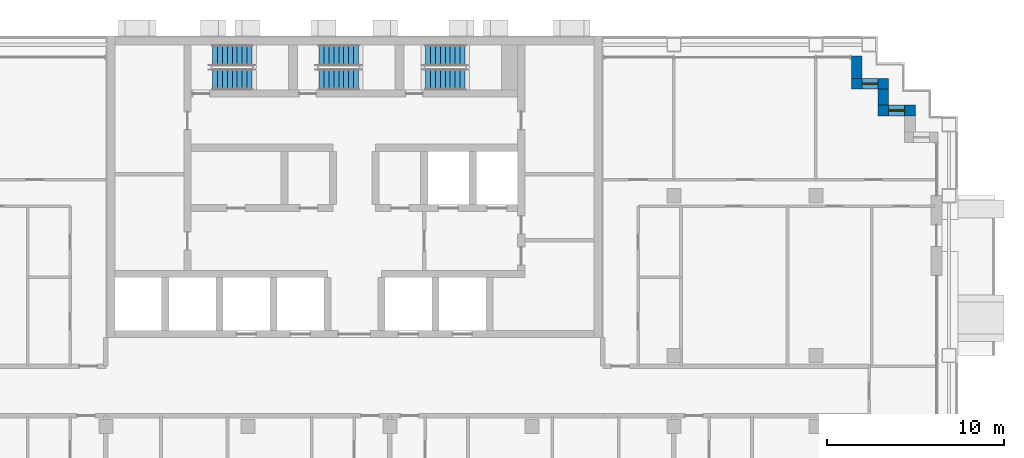
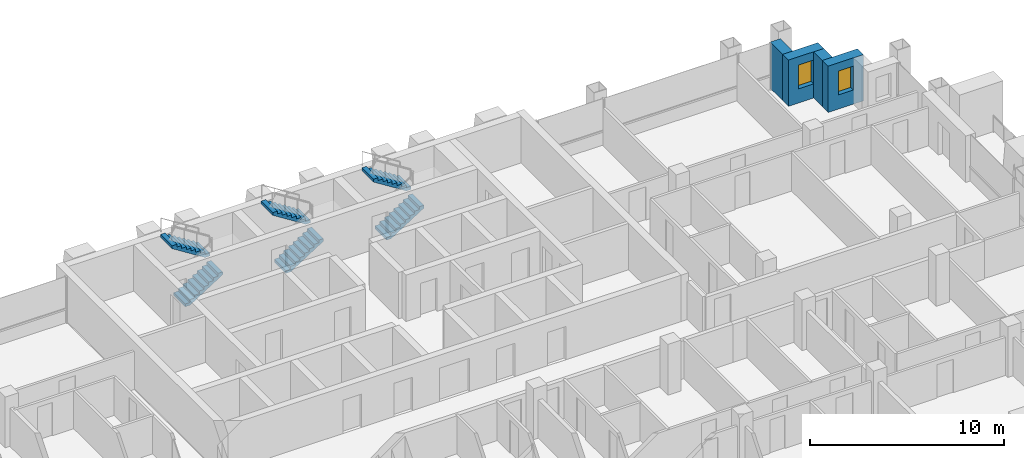
# One storey, part 13 of 18: 6 stair flights, 4 walls, 2 windows, 2 openings, 3 elements without a shape of their own.
"""IFC4 building model written with IfcOpenShell, lengths in metres."""

from ifc_helpers import new_model, si_unit, direction, frame, frame_2d, origin, place, context, subcontext, project, spatial, polyline, rectangle, outline, extrude, material, layer, layer_set, type_object, element, fill, aggregate, save


model = new_model("IFC4")

# Units and contexts
model_context = context("Model", 3, precision=1e-05, world=origin(), true_north=direction((0.0, 1.0)))
body_context = subcontext(model_context, "Body", "Model", "MODEL_VIEW")
ifc_project = project(units=[si_unit("LENGTHUNIT", "METRE"), si_unit("AREAUNIT", "SQUARE_METRE"), si_unit("VOLUMEUNIT", "CUBIC_METRE"), si_unit("PLANEANGLEUNIT", "RADIAN"), si_unit("MASSUNIT", "GRAM", prefix="KILO")], contexts=[model_context])

# Site, building, storey
site_placement = place(None, origin())
site = spatial("IfcSite", under=ifc_project, at=site_placement, CompositionType="ELEMENT")
building_placement = place(site_placement, origin())
building = spatial("IfcBuilding", under=site, at=building_placement, Name="Vidyagriha Tower", CompositionType="ELEMENT")
storey_placement = place(building_placement, frame((0.0, 0.0, 126.199951171875)))
storey = spatial("IfcBuildingStorey", under=building, at=storey_placement, Name="L32", CompositionType="ELEMENT", Elevation=126.199951171875)

# Wall, opening, window
ifc_material_1 = material(Name="Precast concrete C40/50 with brick facing", Category="concrete")
ifc_layer = layer(ifc_material_1, 0.60009765625)
ifc_layer_set = layer_set([ifc_layer], Name="Precast concrete C40/50 with brick facing")
wall_type = type_object("IfcWallType", Name="Brick-faced precast wall 600", PredefinedType="STANDARD", material=ifc_layer_set)
wall_1_placement = place(storey_placement, frame((31.60009765625, 15.800048828125, 0.0), z_axis=(0.0, 0.0, 1.0), x_axis=(-1.0, 0.0, 0.0)))
wall_1 = element("IfcWall", 1, at=wall_1_placement, inside=storey, type_object=wall_type, Name="Stepped corner wall L32 R03", PredefinedType="STANDARD", context=body_context, shape_type="SweptSolid", body=[
    extrude(rectangle(XDim=2.10009765625, YDim=0.60009765625, at=frame_2d((1.050048828125, 0.0))), origin(), (0.0, 0.0, 1.0), 2.920166015625),
])
opening_1_placement = place(wall_1_placement, frame((0.60009765625, 0.0, 0.89990234375)))
opening_1 = element("IfcOpeningElement", 2, at=opening_1_placement, cuts=wall_1, Name="Opening WN1", PredefinedType="OPENING", context=body_context, shape_type="SweptSolid", body=[
    extrude(rectangle(XDim=0.89990234375, YDim=1.5, at=frame_2d((0.449951171875, 0.75))), frame((0.0, 0.31005859375, 0.0), z_axis=(0.0, -1.0, 0.0), x_axis=(1.0, 0.0, 0.0)), (0.0, 0.0, 1.0), 0.6201171875),
])
ifc_material_2 = material(Name="Aluminium and glass window", Category="aluminium")
window_type = type_object("IfcWindowType", Name="Reveal window 900x1500", PartitioningType="NOTDEFINED", PredefinedType="WINDOW", material=ifc_material_2)
window_1_placement = place(opening_1_placement, origin())
window_1 = element("IfcWindow", 3, at=window_1_placement, inside=storey, type_object=window_type, Name="Reveal window L32 R03", OverallHeight=1.5, OverallWidth=0.89990234375, PartitioningType="SINGLE_PANEL", PredefinedType="WINDOW", context=body_context, shape_type="SweptSolid", body=[
    extrude(rectangle(XDim=0.89990234375, YDim=1.5, at=frame_2d((0.449951171875, 0.75))), frame((0.0, 0.030029296875, 0.0), z_axis=(0.0, -1.0, 0.0), x_axis=(1.0, 0.0, 0.0)), (0.0, 0.0, 1.0), 0.06005859375),
])
fill(opening_1, window_1)

# Wall
wall_2_placement = place(storey_placement, frame((29.800048828125, 16.10009765625, 0.0), z_axis=(0.0, 0.0, 1.0), x_axis=(0.0, 1.0, 0.0)))
element("IfcWall", 4, at=wall_2_placement, inside=storey, type_object=wall_type, Name="Stepped corner wall L32 R04", PredefinedType="STANDARD", context=body_context, shape_type="SweptSolid", body=[
    extrude(rectangle(XDim=0.89990234375, YDim=0.60009765625, at=frame_2d((0.449951171875, 0.0))), origin(), (0.0, 0.0, 1.0), 2.920166015625),
])

# Wall, opening, window
wall_3_placement = place(storey_placement, frame((30.10009765625, 17.300048828125, 0.0), z_axis=(0.0, 0.0, 1.0), x_axis=(-1.0, 0.0, 0.0)))
wall_3 = element("IfcWall", 5, at=wall_3_placement, inside=storey, type_object=wall_type, Name="Stepped corner wall L32 R05", PredefinedType="STANDARD", context=body_context, shape_type="SweptSolid", body=[
    extrude(rectangle(XDim=2.10009765625, YDim=0.60009765625, at=frame_2d((1.050048828125, 0.0))), origin(), (0.0, 0.0, 1.0), 2.920166015625),
])
opening_2_placement = place(wall_3_placement, frame((0.60009765625, 0.0, 0.89990234375)))
opening_2 = element("IfcOpeningElement", 6, at=opening_2_placement, cuts=wall_3, Name="Opening WN1", PredefinedType="OPENING", context=body_context, shape_type="SweptSolid", body=[
    extrude(rectangle(XDim=0.89990234375, YDim=1.5, at=frame_2d((0.449951171875, 0.75))), frame((0.0, 0.31005859375, 0.0), z_axis=(0.0, -1.0, 0.0), x_axis=(1.0, 0.0, 0.0)), (0.0, 0.0, 1.0), 0.6201171875),
])
window_2_placement = place(opening_2_placement, origin())
window_2 = element("IfcWindow", 7, at=window_2_placement, inside=storey, type_object=window_type, Name="Reveal window L32 R05", OverallHeight=1.5, OverallWidth=0.89990234375, PartitioningType="SINGLE_PANEL", PredefinedType="WINDOW", context=body_context, shape_type="SweptSolid", body=[
    extrude(rectangle(XDim=0.89990234375, YDim=1.5, at=frame_2d((0.449951171875, 0.75))), frame((0.0, 0.030029296875, 0.0), z_axis=(0.0, -1.0, 0.0), x_axis=(1.0, 0.0, 0.0)), (0.0, 0.0, 1.0), 0.06005859375),
])
fill(opening_2, window_2)

# Wall
wall_4_placement = place(storey_placement, frame((28.300048828125, 17.60009765625, 0.0), z_axis=(0.0, 0.0, 1.0), x_axis=(0.0, 1.0, 0.0)))
element("IfcWall", 8, at=wall_4_placement, inside=storey, type_object=wall_type, Name="Stepped corner wall L32 R06", PredefinedType="STANDARD", context=body_context, shape_type="SweptSolid", body=[
    extrude(rectangle(XDim=1.27978515625, YDim=0.60009765625, at=frame_2d((0.639892578125, 0.0))), origin(), (0.0, 0.0, 1.0), 2.920166015625),
])

# Stair, stair flights
ifc_material_3 = material(Name="Concrete C40/50", Category="concrete")
stair_type = type_object("IfcStairType", Name="Exit stair, half-turn, precast flights", PredefinedType="HALF_TURN_STAIR", material=ifc_material_3)
stair_1_placement = place(storey_placement, origin())
stair_1 = element("IfcStair", 9, at=stair_1_placement, inside=storey, type_object=stair_type, Name="L32 Exit Stair ST1", PredefinedType="HALF_TURN_STAIR")
ifc_material_4 = material(Name="Precast concrete C40/50", Category="concrete")
stair_flight_type = type_object("IfcStairFlightType", Name="Exit stair flight 1200 mm, precast", PredefinedType="STRAIGHT", material=ifc_material_4)
stair_flight_1_placement = place(storey_placement, frame((-8.0, 17.550048828125, 0.0)))
stair_flight_1 = element("IfcStairFlight", 10, at=stair_flight_1_placement, type_object=stair_flight_type, Name="ST1 flight 1", NumberOfRisers=9, NumberOfTreads=8, PredefinedType="STRAIGHT", RiserHeight=0.177777778, TreadLength=0.28, context=body_context, shape_type="SweptSolid", body=[
    extrude(outline(polyline([(0.0, 0.0), (0.0, 0.177734375), (0.280029296875, 0.177734375), (0.280029296875, 0.35546875), (0.56005859375, 0.35546875), (0.56005859375, 0.533447265625), (0.840087890625, 0.533447265625), (0.840087890625, 0.711181640625), (1.1201171875, 0.711181640625), (1.1201171875, 0.888916015625), (1.39990234375, 0.888916015625), (1.39990234375, 1.066650390625), (1.679931640625, 1.066650390625), (1.679931640625, 1.244384765625), (1.9599609375, 1.244384765625), (1.9599609375, 1.422119140625), (2.239990234375, 1.422119140625), (2.239990234375, 1.60009765625), (2.239990234375, 1.24462890625), (0.27978515625, 0.0), (0.0, 0.0)])), frame((0.0, 0.60009765625, 0.0), z_axis=(0.0, -1.0, 0.0), x_axis=(1.0, 0.0, 0.0)), (0.0, 0.0, 1.0), 1.199951171875),
])
stair_flight_2_placement = place(storey_placement, frame((-5.760009765625, 18.89990234375, 1.60009765625), z_axis=(0.0, 0.0, 1.0), x_axis=(-1.0, 0.0, 0.0)))
stair_flight_2 = element("IfcStairFlight", 11, at=stair_flight_2_placement, type_object=stair_flight_type, Name="ST1 flight 2", NumberOfRisers=9, NumberOfTreads=8, PredefinedType="STRAIGHT", RiserHeight=0.177777778, TreadLength=0.28, context=body_context, shape_type="SweptSolid", body=[
    extrude(outline(polyline([(0.0, 0.0), (0.0, 0.177734375), (0.280029296875, 0.177734375), (0.280029296875, 0.35546875), (0.56005859375, 0.35546875), (0.56005859375, 0.533447265625), (0.840087890625, 0.533447265625), (0.840087890625, 0.711181640625), (1.1201171875, 0.711181640625), (1.1201171875, 0.888916015625), (1.39990234375, 0.888916015625), (1.39990234375, 1.066650390625), (1.679931640625, 1.066650390625), (1.679931640625, 1.244384765625), (1.9599609375, 1.244384765625), (1.9599609375, 1.422119140625), (2.239990234375, 1.422119140625), (2.239990234375, 1.60009765625), (2.239990234375, 1.24462890625), (0.27978515625, 0.0), (0.0, 0.0)])), frame((0.0, 0.60009765625, 0.0), z_axis=(0.0, -1.0, 0.0), x_axis=(1.0, 0.0, 0.0)), (0.0, 0.0, 1.0), 1.199951171875),
])
aggregate(stair_1, [stair_flight_1, stair_flight_2])

stair_2_placement = place(storey_placement, origin())
stair_2 = element("IfcStair", 12, at=stair_2_placement, inside=storey, type_object=stair_type, Name="L32 Exit Stair ST2", PredefinedType="HALF_TURN_STAIR")
stair_flight_3_placement = place(storey_placement, frame((-2.0, 17.550048828125, 0.0)))
stair_flight_3 = element("IfcStairFlight", 13, at=stair_flight_3_placement, type_object=stair_flight_type, Name="ST2 flight 1", NumberOfRisers=9, NumberOfTreads=8, PredefinedType="STRAIGHT", RiserHeight=0.177777778, TreadLength=0.28, context=body_context, shape_type="SweptSolid", body=[
    extrude(outline(polyline([(0.0, 0.0), (0.0, 0.177734375), (0.280029296875, 0.177734375), (0.280029296875, 0.35546875), (0.56005859375, 0.35546875), (0.56005859375, 0.533447265625), (0.840087890625, 0.533447265625), (0.840087890625, 0.711181640625), (1.1201171875, 0.711181640625), (1.1201171875, 0.888916015625), (1.39990234375, 0.888916015625), (1.39990234375, 1.066650390625), (1.679931640625, 1.066650390625), (1.679931640625, 1.244384765625), (1.9599609375, 1.244384765625), (1.9599609375, 1.422119140625), (2.239990234375, 1.422119140625), (2.239990234375, 1.60009765625), (2.239990234375, 1.24462890625), (0.27978515625, 0.0), (0.0, 0.0)])), frame((0.0, 0.60009765625, 0.0), z_axis=(0.0, -1.0, 0.0), x_axis=(1.0, 0.0, 0.0)), (0.0, 0.0, 1.0), 1.199951171875),
])
stair_flight_4_placement = place(storey_placement, frame((0.239990234375, 18.89990234375, 1.60009765625), z_axis=(0.0, 0.0, 1.0), x_axis=(-1.0, 0.0, 0.0)))
stair_flight_4 = element("IfcStairFlight", 14, at=stair_flight_4_placement, type_object=stair_flight_type, Name="ST2 flight 2", NumberOfRisers=9, NumberOfTreads=8, PredefinedType="STRAIGHT", RiserHeight=0.177777778, TreadLength=0.28, context=body_context, shape_type="SweptSolid", body=[
    extrude(outline(polyline([(0.0, 0.0), (0.0, 0.177734375), (0.280029296875, 0.177734375), (0.280029296875, 0.35546875), (0.56005859375, 0.35546875), (0.56005859375, 0.533447265625), (0.840087890625, 0.533447265625), (0.840087890625, 0.711181640625), (1.1201171875, 0.711181640625), (1.1201171875, 0.888916015625), (1.39990234375, 0.888916015625), (1.39990234375, 1.066650390625), (1.679931640625, 1.066650390625), (1.679931640625, 1.244384765625), (1.9599609375, 1.244384765625), (1.9599609375, 1.422119140625), (2.239990234375, 1.422119140625), (2.239990234375, 1.60009765625), (2.239990234375, 1.24462890625), (0.27978515625, 0.0), (0.0, 0.0)])), frame((0.0, 0.60009765625, 0.0), z_axis=(0.0, -1.0, 0.0), x_axis=(1.0, 0.0, 0.0)), (0.0, 0.0, 1.0), 1.199951171875),
])
aggregate(stair_2, [stair_flight_3, stair_flight_4])

stair_3_placement = place(storey_placement, origin())
stair_3 = element("IfcStair", 15, at=stair_3_placement, inside=storey, type_object=stair_type, Name="L32 Exit Stair ST3", PredefinedType="HALF_TURN_STAIR")
stair_flight_5_placement = place(storey_placement, frame((4.0, 17.550048828125, 0.0)))
stair_flight_5 = element("IfcStairFlight", 16, at=stair_flight_5_placement, type_object=stair_flight_type, Name="ST3 flight 1", NumberOfRisers=9, NumberOfTreads=8, PredefinedType="STRAIGHT", RiserHeight=0.177777778, TreadLength=0.28, context=body_context, shape_type="SweptSolid", body=[
    extrude(outline(polyline([(0.0, 0.0), (0.0, 0.177734375), (0.280029296875, 0.177734375), (0.280029296875, 0.35546875), (0.56005859375, 0.35546875), (0.56005859375, 0.533447265625), (0.840087890625, 0.533447265625), (0.840087890625, 0.711181640625), (1.1201171875, 0.711181640625), (1.1201171875, 0.888916015625), (1.39990234375, 0.888916015625), (1.39990234375, 1.066650390625), (1.679931640625, 1.066650390625), (1.679931640625, 1.244384765625), (1.9599609375, 1.244384765625), (1.9599609375, 1.422119140625), (2.239990234375, 1.422119140625), (2.239990234375, 1.60009765625), (2.239990234375, 1.24462890625), (0.27978515625, 0.0), (0.0, 0.0)])), frame((0.0, 0.60009765625, 0.0), z_axis=(0.0, -1.0, 0.0), x_axis=(1.0, 0.0, 0.0)), (0.0, 0.0, 1.0), 1.199951171875),
])
stair_flight_6_placement = place(storey_placement, frame((6.239990234375, 18.89990234375, 1.60009765625), z_axis=(0.0, 0.0, 1.0), x_axis=(-1.0, 0.0, 0.0)))
stair_flight_6 = element("IfcStairFlight", 17, at=stair_flight_6_placement, type_object=stair_flight_type, Name="ST3 flight 2", NumberOfRisers=9, NumberOfTreads=8, PredefinedType="STRAIGHT", RiserHeight=0.177777778, TreadLength=0.28, context=body_context, shape_type="SweptSolid", body=[
    extrude(outline(polyline([(0.0, 0.0), (0.0, 0.177734375), (0.280029296875, 0.177734375), (0.280029296875, 0.35546875), (0.56005859375, 0.35546875), (0.56005859375, 0.533447265625), (0.840087890625, 0.533447265625), (0.840087890625, 0.711181640625), (1.1201171875, 0.711181640625), (1.1201171875, 0.888916015625), (1.39990234375, 0.888916015625), (1.39990234375, 1.066650390625), (1.679931640625, 1.066650390625), (1.679931640625, 1.244384765625), (1.9599609375, 1.244384765625), (1.9599609375, 1.422119140625), (2.239990234375, 1.422119140625), (2.239990234375, 1.60009765625), (2.239990234375, 1.24462890625), (0.27978515625, 0.0), (0.0, 0.0)])), frame((0.0, 0.60009765625, 0.0), z_axis=(0.0, -1.0, 0.0), x_axis=(1.0, 0.0, 0.0)), (0.0, 0.0, 1.0), 1.199951171875),
])
aggregate(stair_3, [stair_flight_5, stair_flight_6])

save(model, "model.ifc")
